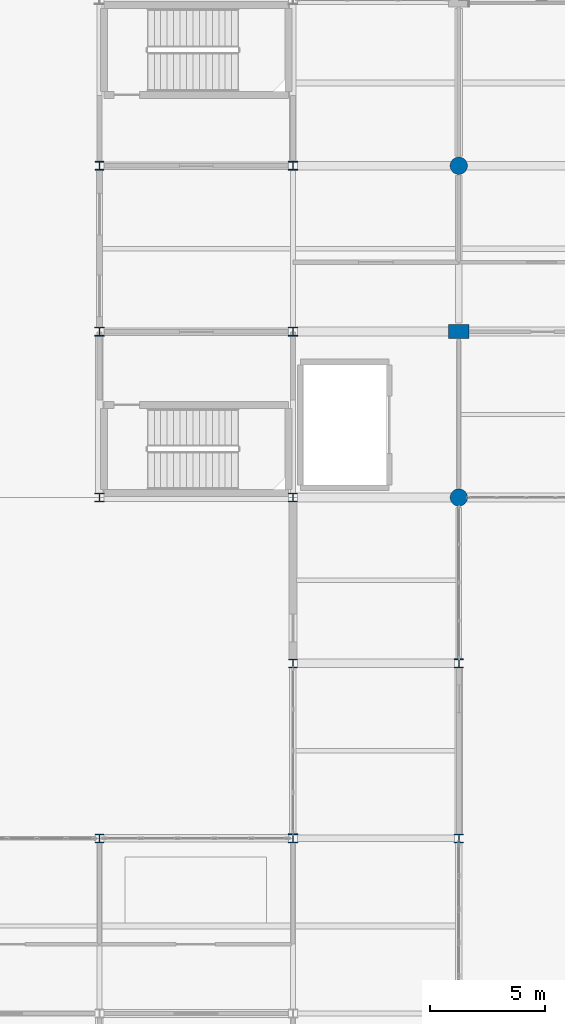
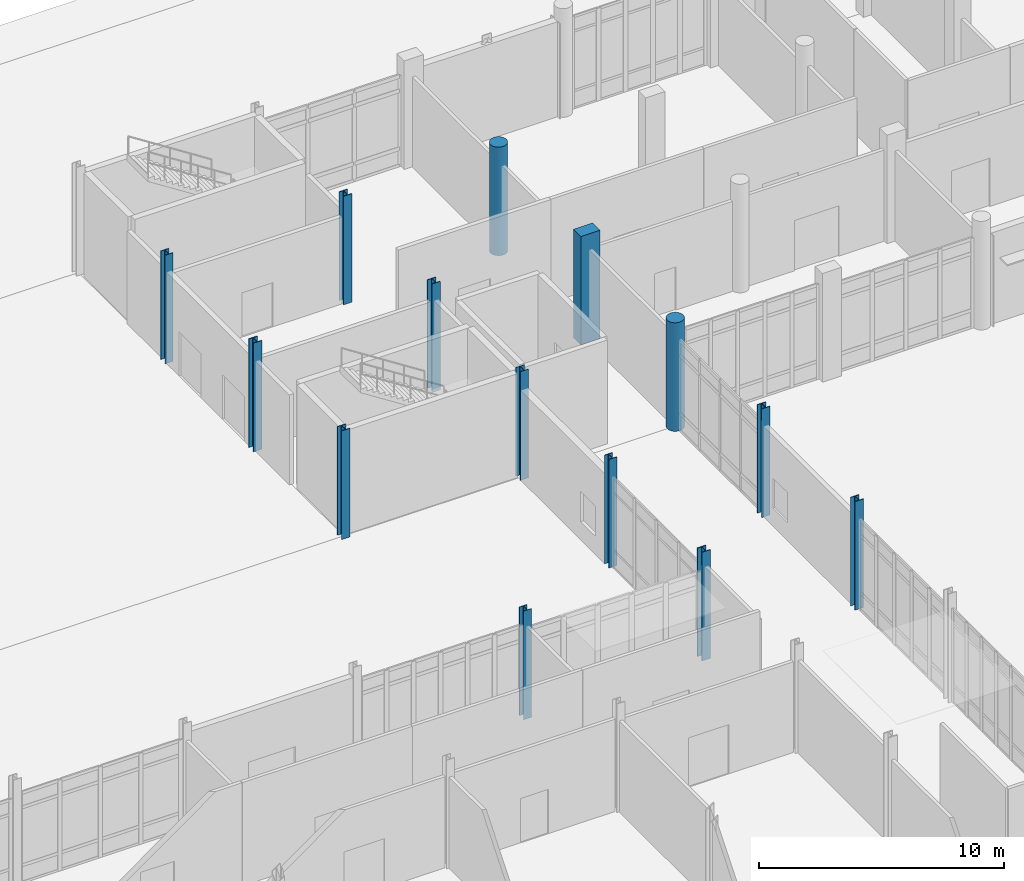
# One storey, part 15 of 229: 14 columns.
"""IFC4 building model written with IfcOpenShell, lengths in metres."""

from ifc_helpers import new_model, si_unit, direction, frame, origin, origin_2d, place, context, subcontext, project, spatial, rectangle, circle, i_section, extrude, material, material_profile, profile_set, type_object, element, save


model = new_model("IFC4")

# Units and contexts
model_context = context("Model", 3, precision=1e-05, world=origin(), true_north=direction((0.0, 1.0)))
body_context = subcontext(model_context, "Body", "Model", "MODEL_VIEW")
ifc_project = project(units=[si_unit("LENGTHUNIT", "METRE"), si_unit("AREAUNIT", "SQUARE_METRE"), si_unit("VOLUMEUNIT", "CUBIC_METRE"), si_unit("PLANEANGLEUNIT", "RADIAN"), si_unit("MASSUNIT", "GRAM", prefix="KILO")], contexts=[model_context])

# Site, building, storey
site_placement = place(None, origin())
site = spatial("IfcSite", under=ifc_project, at=site_placement, CompositionType="ELEMENT")
building_placement = place(site_placement, origin())
building = spatial("IfcBuilding", under=site, at=building_placement, Name="Calvrana Isthmian Art Gallery", CompositionType="ELEMENT")
storey_placement = place(building_placement, origin())
storey = spatial("IfcBuildingStorey", under=building, at=storey_placement, Name="L00", CompositionType="ELEMENT", Elevation=0.0)

# Columns
ifc_material_1 = material(Name="Concrete C40/50", Category="concrete")
ifc_material_profile_1 = material_profile(ifc_material_1, circle(Radius=0.375, at=origin_2d()), Name="RC750D")
ifc_profile_set_1 = profile_set([ifc_material_profile_1], Name="Concrete C40/50")
column_type_1 = type_object("IfcColumnType", Name="COL-RC-RC750D", PredefinedType="COLUMN", material=ifc_profile_set_1)
for number, where, z_axis, x_axis, name in (
    (1, (120.0, 76.800048828125, 0.0), (0.0, 0.0, 1.0), (1.0, 0.0, 0.0), "Column 16/K L00"),
    (2, (120.0, 91.199951171875, 0.0), (0.0, 0.0, 1.0), (1.0, 0.0, 0.0), "Column 16/M L00"),
):
    element("IfcColumn", number, at=place(storey_placement, frame(where, z_axis=z_axis, x_axis=x_axis)), inside=storey, type_object=column_type_1, Name=name, PredefinedType="COLUMN", context=body_context, shape_type="SweptSolid", body=[
        extrude(circle(Radius=0.375, at=origin_2d()), origin(), (0.0, 0.0, 1.0), 5.39990234375),
    ])
ifc_material_profile_2 = material_profile(ifc_material_1, rectangle(XDim=0.89990234375, YDim=0.60009765625, at=origin_2d()), Name="RC900X600")
ifc_profile_set_2 = profile_set([ifc_material_profile_2], Name="Concrete C40/50")
column_type_2 = type_object("IfcColumnType", Name="COL-RC-RC900X600", PredefinedType="COLUMN", material=ifc_profile_set_2)
column_1_placement = place(storey_placement, frame((120.0, 84.0, 0.0), z_axis=(0.0, 0.0, 1.0), x_axis=(1.0, 0.0, 0.0)))
element("IfcColumn", 3, at=column_1_placement, inside=storey, type_object=column_type_2, Name="Column 16/L L00", PredefinedType="COLUMN", context=body_context, shape_type="SweptSolid", body=[
    extrude(rectangle(XDim=0.89990234375, YDim=0.60009765625, at=origin_2d()), origin(), (0.0, 0.0, 1.0), 5.39990234375),
])
ifc_material_2 = material(Name="Steel ASTM A992 Gr 50", Category="steel")
ifc_material_profile_3 = material_profile(ifc_material_2, i_section(OverallWidth=0.373046875, OverallDepth=0.373046875, WebThickness=0.016357421875, FlangeThickness=0.026123046875, FilletRadius=0.02490234375, at=origin_2d()), Name="W14X132")
ifc_profile_set_3 = profile_set([ifc_material_profile_3], Name="Steel ASTM A992 Gr 50")
column_type_3 = type_object("IfcColumnType", Name="COL-STL-W14X132", PredefinedType="COLUMN", material=ifc_profile_set_3)
for number, where, z_axis, x_axis, name in (
    (4, (104.39990234375, 91.199951171875, 0.0), (0.0, 0.0, 1.0), (1.0, 0.0, 0.0), "Column 14/M L00"),
    (5, (112.800048828125, 69.60009765625, 0.0), (0.0, 0.0, 1.0), (1.0, 0.0, 0.0), "Column 15/J L00"),
):
    element("IfcColumn", number, at=place(storey_placement, frame(where, z_axis=z_axis, x_axis=x_axis)), inside=storey, type_object=column_type_3, Name=name, PredefinedType="COLUMN", context=body_context, shape_type="SweptSolid", body=[
        extrude(i_section(OverallWidth=0.373046875, OverallDepth=0.373046875, WebThickness=0.016357421875, FlangeThickness=0.026123046875, FilletRadius=0.02490234375, at=origin_2d()), origin(), (0.0, 0.0, 1.0), 5.39990234375),
    ])
ifc_material_profile_4 = material_profile(ifc_material_2, i_section(OverallWidth=0.39404296875, OverallDepth=0.3759765625, WebThickness=0.017333984375, FlangeThickness=0.027587890625, FilletRadius=0.02490234375, at=origin_2d()), Name="W14X145")
ifc_profile_set_4 = profile_set([ifc_material_profile_4], Name="Steel ASTM A992 Gr 50")
column_type_4 = type_object("IfcColumnType", Name="COL-STL-W14X145", PredefinedType="COLUMN", material=ifc_profile_set_4)
column_2_placement = place(storey_placement, frame((112.800048828125, 76.800048828125, 0.0), z_axis=(0.0, 0.0, 1.0), x_axis=(1.0, 0.0, 0.0)))
element("IfcColumn", 6, at=column_2_placement, inside=storey, type_object=column_type_4, Name="Column 15/K L00", PredefinedType="COLUMN", context=body_context, shape_type="SweptSolid", body=[
    extrude(i_section(OverallWidth=0.39404296875, OverallDepth=0.3759765625, WebThickness=0.017333984375, FlangeThickness=0.027587890625, FilletRadius=0.02490234375, at=origin_2d()), origin(), (0.0, 0.0, 1.0), 5.39990234375),
])
ifc_material_profile_5 = material_profile(ifc_material_2, i_section(OverallWidth=0.39599609375, OverallDepth=0.381103515625, WebThickness=0.018798828125, FlangeThickness=0.0302734375, FilletRadius=0.02490234375, at=origin_2d()), Name="W14X159")
ifc_profile_set_5 = profile_set([ifc_material_profile_5], Name="Steel ASTM A992 Gr 50")
column_type_5 = type_object("IfcColumnType", Name="COL-STL-W14X159", PredefinedType="COLUMN", material=ifc_profile_set_5)
for number, where, z_axis, x_axis, name in (
    (7, (104.39990234375, 76.800048828125, 0.0), (0.0, 0.0, 1.0), (1.0, 0.0, 0.0), "Column 14/K L00"),
    (8, (112.800048828125, 84.0, 0.0), (0.0, 0.0, 1.0), (1.0, 0.0, 0.0), "Column 15/L L00"),
    (9, (120.0, 62.0, 0.0), (0.0, 0.0, 1.0), (1.0, 0.0, 0.0), "Column 16/I L00"),
):
    element("IfcColumn", number, at=place(storey_placement, frame(where, z_axis=z_axis, x_axis=x_axis)), inside=storey, type_object=column_type_5, Name=name, PredefinedType="COLUMN", context=body_context, shape_type="SweptSolid", body=[
        extrude(i_section(OverallWidth=0.39599609375, OverallDepth=0.381103515625, WebThickness=0.018798828125, FlangeThickness=0.0302734375, FilletRadius=0.02490234375, at=origin_2d()), origin(), (0.0, 0.0, 1.0), 5.39990234375),
    ])
ifc_material_profile_6 = material_profile(ifc_material_2, i_section(OverallWidth=0.39892578125, OverallDepth=0.385986328125, WebThickness=0.02099609375, FlangeThickness=0.033203125, FilletRadius=0.02490234375, at=origin_2d()), Name="W14X176")
ifc_profile_set_6 = profile_set([ifc_material_profile_6], Name="Steel ASTM A992 Gr 50")
column_type_6 = type_object("IfcColumnType", Name="COL-STL-W14X176", PredefinedType="COLUMN", material=ifc_profile_set_6)
for number, where, z_axis, x_axis, name in (
    (10, (104.39990234375, 84.0, 0.0), (0.0, 0.0, 1.0), (1.0, 0.0, 0.0), "Column 14/L L00"),
    (11, (112.800048828125, 62.0, 0.0), (0.0, 0.0, 1.0), (1.0, 0.0, 0.0), "Column 15/I L00"),
    (12, (112.800048828125, 91.199951171875, 0.0), (0.0, 0.0, 1.0), (1.0, 0.0, 0.0), "Column 15/M L00"),
    (13, (120.0, 69.60009765625, 0.0), (0.0, 0.0, 1.0), (1.0, 0.0, 0.0), "Column 16/J L00"),
):
    element("IfcColumn", number, at=place(storey_placement, frame(where, z_axis=z_axis, x_axis=x_axis)), inside=storey, type_object=column_type_6, Name=name, PredefinedType="COLUMN", context=body_context, shape_type="SweptSolid", body=[
        extrude(i_section(OverallWidth=0.39892578125, OverallDepth=0.385986328125, WebThickness=0.02099609375, FlangeThickness=0.033203125, FilletRadius=0.02490234375, at=origin_2d()), origin(), (0.0, 0.0, 1.0), 5.39990234375),
    ])
ifc_material_profile_7 = material_profile(ifc_material_2, i_section(OverallWidth=0.367919921875, OverallDepth=0.35595703125, WebThickness=0.01123046875, FlangeThickness=0.01806640625, FilletRadius=0.02490234375, at=origin_2d()), Name="W14X90")
ifc_profile_set_7 = profile_set([ifc_material_profile_7], Name="Steel ASTM A992 Gr 50")
column_type_7 = type_object("IfcColumnType", Name="COL-STL-W14X90", PredefinedType="COLUMN", material=ifc_profile_set_7)
column_3_placement = place(storey_placement, frame((104.39990234375, 62.0, 0.0), z_axis=(0.0, 0.0, 1.0), x_axis=(1.0, 0.0, 0.0)))
element("IfcColumn", 14, at=column_3_placement, inside=storey, type_object=column_type_7, Name="Column 14/I L00", PredefinedType="COLUMN", context=body_context, shape_type="SweptSolid", body=[
    extrude(i_section(OverallWidth=0.367919921875, OverallDepth=0.35595703125, WebThickness=0.01123046875, FlangeThickness=0.01806640625, FilletRadius=0.02490234375, at=origin_2d()), origin(), (0.0, 0.0, 1.0), 5.39990234375),
])

save(model, "model.ifc")
